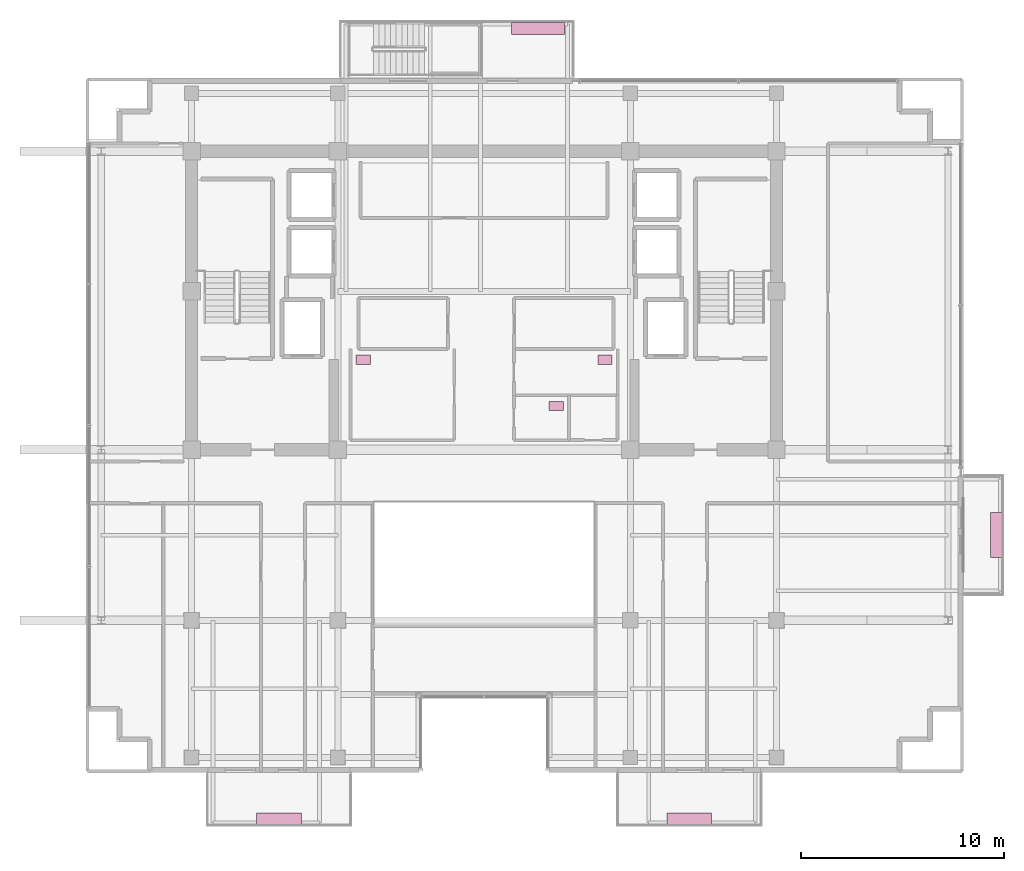
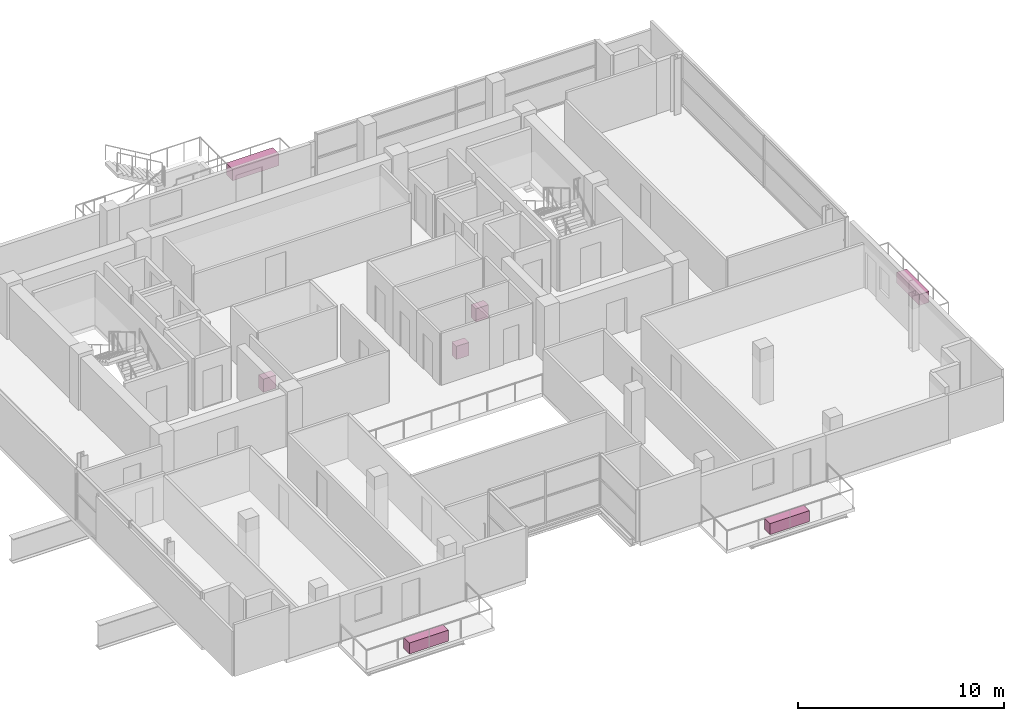
# One storey, part 23 of 23: 7 furnishings.
"""IFC4 building model written with IfcOpenShell, lengths in metres."""

from ifc_helpers import new_model, si_unit, direction, frame, origin, origin_2d, place, context, subcontext, project, spatial, rectangle, extrude, source, transform, mapped, material, type_object, element, save


model = new_model("IFC4")

# Units and contexts
model_context = context("Model", 3, precision=1e-05, world=origin(), true_north=direction((0.0, 1.0)))
body_context = subcontext(model_context, "Body", "Model", "MODEL_VIEW")
ifc_project = project(units=[si_unit("LENGTHUNIT", "METRE"), si_unit("AREAUNIT", "SQUARE_METRE"), si_unit("VOLUMEUNIT", "CUBIC_METRE"), si_unit("PLANEANGLEUNIT", "RADIAN"), si_unit("MASSUNIT", "GRAM", prefix="KILO")], contexts=[model_context])

# Site, building, storey
site_placement = place(None, origin())
site = spatial("IfcSite", under=ifc_project, at=site_placement, CompositionType="ELEMENT")
building_placement = place(site_placement, origin())
building = spatial("IfcBuilding", under=site, at=building_placement, Name="Zarnakvel Exchange Tower", CompositionType="ELEMENT")
storey_placement = place(building_placement, frame((0.0, 0.0, 232.0)))
storey = spatial("IfcBuildingStorey", under=building, at=storey_placement, Name="L65", CompositionType="ELEMENT", Elevation=232.0)

# Furnishings
ifc_material_1 = material(Name="Architectural Bronze Anodised Aluminium", Category="aluminium")
furnishing_element_type_1 = type_object("IfcFurnishingElementType", Name="PLNT-02", material=ifc_material_1)
shared_shape_1 = source(origin(), body_context, "Body", "SweptSolid", [
    extrude(rectangle(XDim=2.60009765625, YDim=0.60009765625, at=origin_2d()), origin(), (0.0, 0.0, 1.0), 0.699951171875),
])
furnishing_placement = place(storey_placement, frame((2.64990234375, 19.5400390625, 0.0), z_axis=(0.0, 0.0, 1.0), x_axis=(1.0, 0.0, 0.0)))
element("IfcFurnishingElement", 1, at=furnishing_placement, inside=storey, type_object=furnishing_element_type_1, Name="L65 Spiral Sky-Terrace Tropical Planter", ObjectType="PLANTER", context=body_context, shape_type="MappedRepresentation", body=[
    mapped(shared_shape_1, transform((0.0, 0.0, 0.0), x_axis=(1.0, 0.0, 0.0), y_axis=(0.0, 1.0, 0.0), z_axis=(0.0, 0.0, 1.0), scale=1.0)),
])
furnishing_element_type_2 = type_object("IfcFurnishingElementType", Name="PLNT-01", material=ifc_material_1)
shared_shape_2 = source(origin(), body_context, "Body", "SweptSolid", [
    extrude(rectangle(XDim=2.199951171875, YDim=0.550048828125, at=origin_2d()), origin(), (0.0, 0.0, 1.0), 0.64990234375),
])
for number, where, z_axis, x_axis, name in (
    (2, (-10.10009765625, -19.3701171875, -0.034912109375), (0.0, 0.0, 1.0), (1.0, 0.0, 0.0), "L65 Balcony Greenery Planter BAL-L65-SW"),
    (3, (10.10009765625, -19.3701171875, -0.034912109375), (0.0, 0.0, 1.0), (1.0, 0.0, 0.0), "L65 Balcony Greenery Planter BAL-L65-SE"),
    (4, (25.219970703125, -5.39990234375, -0.034912109375), (0.0, 0.0, 1.0), (0.0, 1.0, 0.0), "L65 Balcony Greenery Planter BAL-L65-E"),
):
    element("IfcFurnishingElement", number, at=place(storey_placement, frame(where, z_axis=z_axis, x_axis=x_axis)), inside=storey, type_object=furnishing_element_type_2, Name=name, ObjectType="PLANTER", context=body_context, shape_type="MappedRepresentation", body=[
        mapped(shared_shape_2, transform((0.0, 0.0, 0.0), x_axis=(1.0, 0.0, 0.0), y_axis=(0.0, 1.0, 0.0), z_axis=(0.0, 0.0, 1.0), scale=1.0)),
    ])
ifc_material_2 = material(Name="Vitreous China Sanitaryware", Category="ceramic")
furnishing_element_type_3 = type_object("IfcFurnishingElementType", Name="SAN-WC", material=ifc_material_2)
shared_shape_3 = source(origin(), body_context, "Body", "SweptSolid", [
    extrude(rectangle(XDim=0.699951171875, YDim=0.449951171875, at=origin_2d()), origin(), (0.0, 0.0, 1.0), 0.780029296875),
])
for number, where, z_axis, x_axis, name in (
    (5, (-5.949951171875, 3.22998046875, 0.0), (0.0, 0.0, 1.0), (1.0, 0.0, 0.0), "L65 Sanitary Fixture (Male Toilet)"),
    (6, (5.949951171875, 3.22998046875, 0.0), (0.0, 0.0, 1.0), (1.0, 0.0, 0.0), "L65 Sanitary Fixture (Female Toilet)"),
    (7, (3.550048828125, 0.949951171875, 0.0), (0.0, 0.0, 1.0), (1.0, 0.0, 0.0), "L65 Sanitary Fixture (Accessible Toilet)"),
):
    element("IfcFurnishingElement", number, at=place(storey_placement, frame(where, z_axis=z_axis, x_axis=x_axis)), inside=storey, type_object=furnishing_element_type_3, Name=name, ObjectType="SANITARY_FIXTURE", context=body_context, shape_type="MappedRepresentation", body=[
        mapped(shared_shape_3, transform((0.0, 0.0, 0.0), x_axis=(1.0, 0.0, 0.0), y_axis=(0.0, 1.0, 0.0), z_axis=(0.0, 0.0, 1.0), scale=1.0)),
    ])

save(model, "model.ifc")
